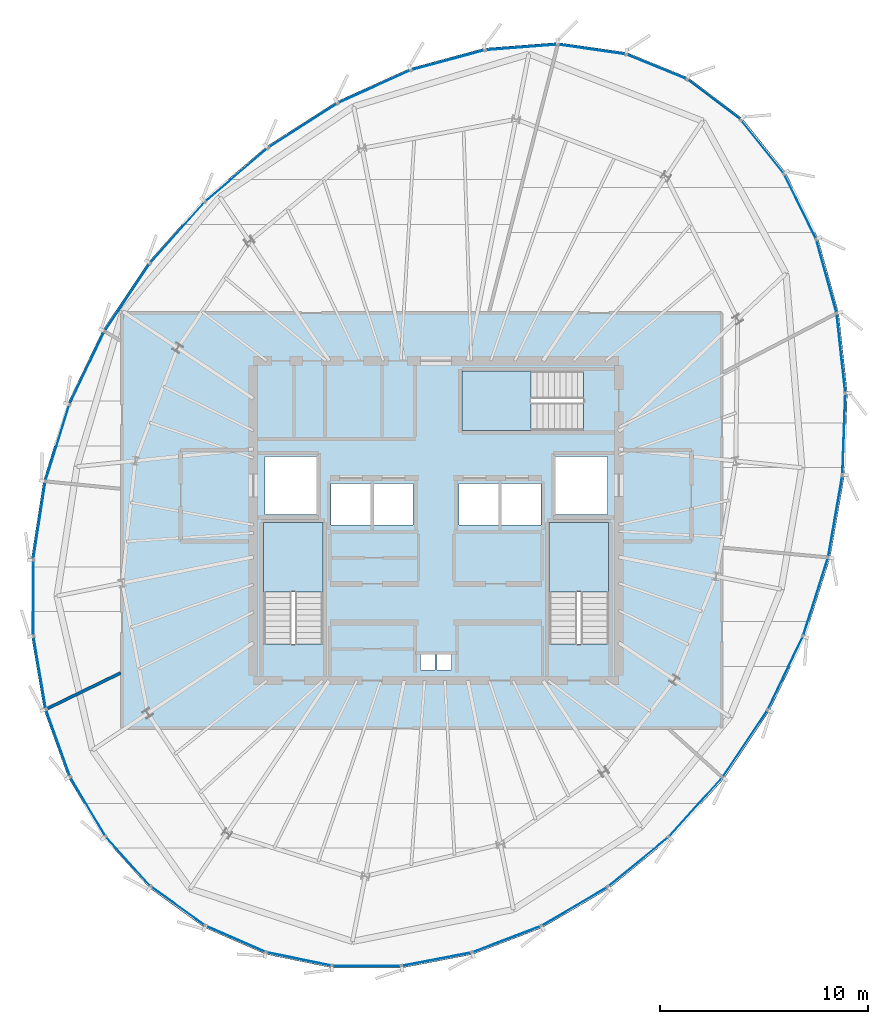
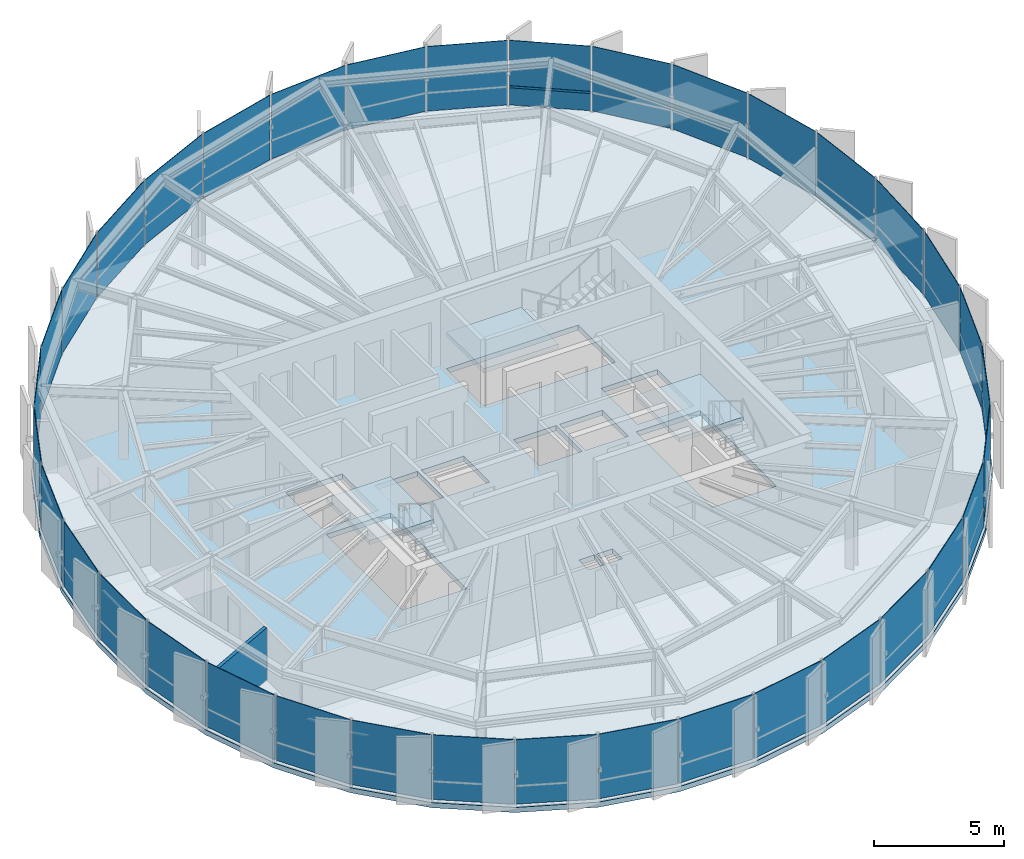
# One storey, part 24 of 31: 36 plates, 4 slabs, 1 member, 1 wall, 9 elements without a shape of their own.
"""IFC4 building model written with IfcOpenShell, lengths in metres."""

from ifc_helpers import new_model, si_unit, direction, frame, frame_2d, origin, origin_2d, place, context, subcontext, project, spatial, polyline, rectangle, hollow_rectangle, outline, extrude, source, transform, mapped, material, layer, layer_set, material_profile, profile_set, type_object, element, aggregate, save


model = new_model("IFC4")

# Units and contexts
model_context = context("Model", 3, precision=1e-05, world=origin(), true_north=direction((0.0, 1.0)))
body_context = subcontext(model_context, "Body", "Model", "MODEL_VIEW")
ifc_project = project(units=[si_unit("LENGTHUNIT", "METRE"), si_unit("AREAUNIT", "SQUARE_METRE"), si_unit("VOLUMEUNIT", "CUBIC_METRE"), si_unit("PLANEANGLEUNIT", "RADIAN"), si_unit("MASSUNIT", "GRAM", prefix="KILO"), si_unit("THERMODYNAMICTEMPERATUREUNIT", "KELVIN")], contexts=[model_context])

# Site, building, storey
site_placement = place(None, origin())
site = spatial("IfcSite", under=ifc_project, at=site_placement, CompositionType="ELEMENT")
building_placement = place(site_placement, origin())
building = spatial("IfcBuilding", under=site, at=building_placement, Name="Kethvar Cultural Tower", CompositionType="ELEMENT")
storey_placement = place(building_placement, frame((0.0, 0.0, 276.699951171875)))
storey = spatial("IfcBuildingStorey", under=building, at=storey_placement, Name="L73", CompositionType="ELEMENT", Elevation=276.699951171875)

# Curtain wall, member
ifc_material_1 = material(Name="Aluminium 6063-T6", Category="aluminium")
ifc_layer_1 = layer(ifc_material_1, 0.179931640625, Name="Aluminium 6063-T6", Category="aluminium")
ifc_layer_set_1 = layer_set([ifc_layer_1], Name="Aluminium 6063-T6 (180 mm)")
curtain_wall_type = type_object("IfcCurtainWallType", Name="CW-SYS-05-Z56", PredefinedType="NOTDEFINED", material=ifc_layer_set_1)
curtain_wall_1_placement = place(storey_placement, origin())
curtain_wall_1 = element("IfcCurtainWall", 1, at=curtain_wall_1_placement, inside=storey, type_object=curtain_wall_type, Name="L73 Curtain Wall Run 06", PredefinedType="NOTDEFINED")
ifc_material_profile = material_profile(ifc_material_1, hollow_rectangle(XDim=0.050048828125, YDim=0.10009765625, WallThickness=0.00390625, at=origin_2d()), Name="Aluminium 6063-T6 — RHS100x50x4")
ifc_profile_set = profile_set([ifc_material_profile], Name="Aluminium 6063-T6 — RHS100x50x4")
member_type = type_object("IfcMemberType", Name="CW-SYS-05-Z56-TRN", PredefinedType="USERDEFINED", material=ifc_profile_set)
shared_shape_1 = source(origin(), body_context, "Body", "SweptSolid", [
    extrude(hollow_rectangle(XDim=0.050048828125, YDim=0.10009765625, WallThickness=0.00390625, at=origin_2d()), origin(), (0.0, 0.0, 1.0), 3.158447265625),
])
member_placement = place(storey_placement, frame((61.45556640625, 47.119140625, 0.949951171875), z_axis=(-0.797460665346, 0.603370936676, 0.0), x_axis=(-0.603370936676, -0.797460665346, 0.0)))
member = element("IfcMember", 2, at=member_placement, type_object=member_type, Name="CW-L73-R06 Transom 6", ObjectType="TRANSOM", PredefinedType="USERDEFINED", context=body_context, shape_type="MappedRepresentation", body=[
    mapped(shared_shape_1, transform((0.0, 0.0, 0.0), scale=1.0)),
])

# Stair, slab
ifc_material_2 = material(Name="Concrete C40/50", Category="concrete")
stair_type = type_object("IfcStairType", Name="ST-DOGLEG-135", PredefinedType="HALF_TURN_STAIR", material=ifc_material_2)
stair_1_placement = place(storey_placement, origin())
stair_1 = element("IfcStair", 3, at=stair_1_placement, inside=storey, type_object=stair_type, Name="L73 Core Exit Stair 1", PredefinedType="HALF_TURN_STAIR")
ifc_layer_2 = layer(ifc_material_2, 0.199951171875, Name="Concrete C40/50", Category="concrete")
ifc_layer_set_2 = layer_set([ifc_layer_2], Name="Concrete C40/50 (200 mm)")
slab_type_1 = type_object("IfcSlabType", Name="SL-STAIR-LANDING-200", PredefinedType="LANDING", material=ifc_layer_set_2)
slab_1_placement = place(storey_placement, frame((0.0, 0.0, 1.525146484375)))
slab_1 = element("IfcSlab", 4, at=slab_1_placement, type_object=slab_type_1, Name="ST-01 landing 1", PredefinedType="LANDING", context=body_context, shape_type="SweptSolid", body=[
    extrude(outline(polyline([(41.35009765625, 24.3701171875), (41.35009765625, 27.699951171875), (38.489990234375, 27.699951171875), (38.489990234375, 24.3701171875), (41.35009765625, 24.3701171875)])), origin(), (0.0, 0.0, 1.0), 0.199951171875),
])
aggregate(stair_1, [slab_1])

stair_2_placement = place(storey_placement, origin())
stair_2 = element("IfcStair", 5, at=stair_2_placement, inside=storey, type_object=stair_type, Name="L73 Core Exit Stair 2", PredefinedType="HALF_TURN_STAIR")
slab_2_placement = place(storey_placement, frame((0.0, 0.0, 1.525146484375)))
slab_2 = element("IfcSlab", 6, at=slab_2_placement, type_object=slab_type_1, Name="ST-02 landing 1", PredefinedType="LANDING", context=body_context, shape_type="SweptSolid", body=[
    extrude(outline(polyline([(55.110107421875, 24.3701171875), (55.110107421875, 27.699951171875), (52.25, 27.699951171875), (52.25, 24.3701171875), (55.110107421875, 24.3701171875)])), origin(), (0.0, 0.0, 1.0), 0.199951171875),
])
aggregate(stair_2, [slab_2])

stair_3_placement = place(storey_placement, origin())
stair_3 = element("IfcStair", 7, at=stair_3_placement, inside=storey, type_object=stair_type, Name="L73 Core Exit Stair 3", PredefinedType="HALF_TURN_STAIR")
slab_3_placement = place(storey_placement, frame((0.0, 0.0, 1.525146484375)))
slab_3 = element("IfcSlab", 8, at=slab_3_placement, type_object=slab_type_1, Name="ST-03 landing 1", PredefinedType="LANDING", context=body_context, shape_type="SweptSolid", body=[
    extrude(outline(polyline([(51.3798828125, 35.010009765625), (48.050048828125, 35.010009765625), (48.050048828125, 32.14990234375), (51.3798828125, 32.14990234375), (51.3798828125, 35.010009765625)])), origin(), (0.0, 0.0, 1.0), 0.199951171875),
])
aggregate(stair_3, [slab_3])

# Slab
ifc_layer_3 = layer(ifc_material_2, 0.239990234375, Name="Concrete C40/50", Category="concrete")
ifc_layer_set_3 = layer_set([ifc_layer_3], Name="Concrete C40/50 (240 mm)")
slab_type_2 = type_object("IfcSlabType", Name="SL-TOW-240", PredefinedType="FLOOR", material=ifc_layer_set_3)
slab_4_placement = place(storey_placement, frame((0.0, 0.0, -0.239990234375)))
element("IfcSlab", 9, at=slab_4_placement, inside=storey, type_object=slab_type_2, Name="L73 Structural Floor Slab", PredefinedType="FLOOR", context=body_context, shape_type="SweptSolid", body=[
    extrude(outline(polyline([(58.965576171875, 49.128662109375), (55.9697265625, 50.3564453125), (52.656005859375, 50.830078125), (49.138916015625, 50.5595703125), (45.5458984375, 49.58837890625), (42.00830078125, 47.986083984375), (38.65380859375, 45.836181640625), (35.597900390625, 43.227783203125), (32.936279296875, 40.245361328125), (30.739501953125, 36.960693359375), (29.04296875, 33.419677734375), (27.885986328125, 29.70751953125), (27.303955078125, 25.937744140625), (27.31396484375, 22.224609375), (27.916259765625, 18.6806640625), (29.09228515625, 15.413818359375), (30.80615234375, 12.523193359375), (33.006103515625, 10.096923828125), (35.625244140625, 8.208740234375), (38.583984375, 6.91552734375), (41.792236328125, 6.257080078125), (45.152587890625, 6.2529296875), (48.563232421875, 6.90380859375), (51.920166015625, 8.189453125), (55.121337890625, 10.07080078125), (58.070068359375, 12.4912109375), (60.676025390625, 15.37646484375), (62.860595703125, 18.639404296875), (64.5693359375, 22.202392578125), (65.78173828125, 26.01123046875), (66.47119140625, 29.96923828125), (66.6142578125, 33.950927734375), (66.19287109375, 37.811767578125), (65.199462890625, 41.398681640625), (63.64208984375, 44.563720703125), (61.547607421875, 47.175048828125), (58.965576171875, 49.128662109375)]), holes=[polyline([(38.489990234375, 21.85009765625), (38.489990234375, 27.699951171875), (41.35009765625, 27.699951171875), (41.35009765625, 21.85009765625), (38.489990234375, 21.85009765625)]), polyline([(52.25, 21.85009765625), (52.25, 27.699951171875), (55.110107421875, 27.699951171875), (55.110107421875, 21.85009765625), (52.25, 21.85009765625)]), polyline([(53.89990234375, 32.14990234375), (48.050048828125, 32.14990234375), (48.050048828125, 35.010009765625), (53.89990234375, 35.010009765625), (53.89990234375, 32.14990234375)]), polyline([(41.75, 29.60009765625), (43.64990234375, 29.60009765625), (43.64990234375, 27.60009765625), (41.75, 27.60009765625), (41.75, 29.60009765625)]), polyline([(43.800048828125, 29.60009765625), (45.699951171875, 29.60009765625), (45.699951171875, 27.60009765625), (43.800048828125, 27.60009765625), (43.800048828125, 29.60009765625)]), polyline([(47.89990234375, 29.60009765625), (49.800048828125, 29.60009765625), (49.800048828125, 27.60009765625), (47.89990234375, 27.60009765625), (47.89990234375, 29.60009765625)]), polyline([(49.949951171875, 29.60009765625), (51.85009765625, 29.60009765625), (51.85009765625, 27.60009765625), (49.949951171875, 27.60009765625), (49.949951171875, 29.60009765625)]), polyline([(38.550048828125, 30.89990234375), (41.050048828125, 30.89990234375), (41.050048828125, 28.10009765625), (38.550048828125, 28.10009765625), (38.550048828125, 30.89990234375)]), polyline([(52.550048828125, 30.89990234375), (55.050048828125, 30.89990234375), (55.050048828125, 28.10009765625), (52.550048828125, 28.10009765625), (52.550048828125, 30.89990234375)]), polyline([(46.050048828125, 21.35009765625), (46.75, 21.35009765625), (46.75, 20.60009765625), (46.050048828125, 20.60009765625), (46.050048828125, 21.35009765625)]), polyline([(46.85009765625, 21.35009765625), (47.550048828125, 21.35009765625), (47.550048828125, 20.60009765625), (46.85009765625, 20.60009765625), (46.85009765625, 21.35009765625)])]), origin(), (0.0, 0.0, 1.0), 0.239990234375),
])

# Curtain wall, plate
curtain_wall_2_placement = place(storey_placement, origin())
curtain_wall_2 = element("IfcCurtainWall", 10, at=curtain_wall_2_placement, inside=storey, type_object=curtain_wall_type, Name="L73 Curtain Wall Run 01", PredefinedType="NOTDEFINED")
ifc_material_3 = material(Name="Insulated Low-E Solar Glass", Category="glass")
ifc_layer_4 = layer(ifc_material_3, 0.028076171875, Name="Insulated Low-E Solar Glass", Category="glass")
ifc_layer_set_4 = layer_set([ifc_layer_4], Name="Insulated Low-E Solar Glass (28 mm)")
plate_type = type_object("IfcPlateType", Name="CW-SYS-05-Z56-PNL", PredefinedType="CURTAIN_PANEL", material=ifc_layer_set_4)
shared_shape_2 = source(origin(), body_context, "Body", "SweptSolid", [
    extrude(rectangle(XDim=3.905029296875, YDim=0.028076171875, at=origin_2d()), origin(), (0.0, 0.0, 1.0), 3.030029296875),
])
plate_1_placement = place(storey_placement, frame((40.385009765625, 46.826904296875, 0.08984375), z_axis=(0.0, 0.0, 1.0), x_axis=(-0.841925408552, -0.539593927352, 0.0)))
plate_1 = element("IfcPlate", 11, at=plate_1_placement, type_object=plate_type, Name="CW-L73-R01 Vision Glazing Panel 6", PredefinedType="CURTAIN_PANEL", context=body_context, shape_type="MappedRepresentation", body=[
    mapped(shared_shape_2, transform((0.0, 0.0, 0.0), scale=1.0)),
])

# Plate
plate_2_placement = place(storey_placement, frame((66.44287109375, 31.963623046875, 0.08984375), z_axis=(0.0, 0.0, 1.0), x_axis=(0.035893710914, 0.999355613141, 0.0)))
plate_2 = element("IfcPlate", 12, at=plate_2_placement, type_object=plate_type, Name="CW-L73-R06 Vision Glazing Panel 1", PredefinedType="CURTAIN_PANEL", context=body_context, shape_type="MappedRepresentation", body=[
    mapped(shared_shape_2, transform((0.0, 0.0, 0.0), scale=1.0)),
])

# Curtain wall, plate
curtain_wall_3_placement = place(storey_placement, origin())
curtain_wall_3 = element("IfcCurtainWall", 13, at=curtain_wall_3_placement, inside=storey, type_object=curtain_wall_type, Name="L73 Curtain Wall Run 05", PredefinedType="NOTDEFINED")
shared_shape_3 = source(origin(), body_context, "Body", "SweptSolid", [
    extrude(rectangle(XDim=3.872314453125, YDim=0.028076171875, at=origin_2d()), origin(), (0.0, 0.0, 1.0), 3.030029296875),
])
plate_3_placement = place(storey_placement, frame((63.624755859375, 20.464111328125, 0.08984375), z_axis=(0.0, 0.0, 1.0), x_axis=(0.432447732757, 0.901659003412, 0.0)))
plate_3 = element("IfcPlate", 14, at=plate_3_placement, type_object=plate_type, Name="CW-L73-R05 Vision Glazing Panel 4", PredefinedType="CURTAIN_PANEL", context=body_context, shape_type="MappedRepresentation", body=[
    mapped(shared_shape_3, transform((0.0, 0.0, 0.0), scale=1.0)),
])

# Plate
shared_shape_4 = source(origin(), body_context, "Body", "SweptSolid", [
    extrude(rectangle(XDim=3.158447265625, YDim=0.028076171875, at=origin_2d()), origin(), (0.0, 0.0, 1.0), 3.030029296875),
])
plate_4_placement = place(storey_placement, frame((57.4296875, 49.650146484375, 0.08984375), z_axis=(0.0, 0.0, 1.0), x_axis=(-0.925295790442, 0.379246226337, 0.0)))
plate_4 = element("IfcPlate", 15, at=plate_4_placement, type_object=plate_type, Name="CW-L73-R01 Vision Glazing Panel 1", PredefinedType="CURTAIN_PANEL", context=body_context, shape_type="MappedRepresentation", body=[
    mapped(shared_shape_4, transform((0.0, 0.0, 0.0), scale=1.0)),
])

shared_shape_5 = source(origin(), body_context, "Body", "SweptSolid", [
    extrude(rectangle(XDim=3.268310546875, YDim=0.028076171875, at=origin_2d()), origin(), (0.0, 0.0, 1.0), 3.030029296875),
])
plate_5_placement = place(storey_placement, frame((54.298828125, 50.494384765625, 0.08984375), z_axis=(0.0, 0.0, 1.0), x_axis=(-0.989942340228, 0.141471421228, 0.0)))
plate_5 = element("IfcPlate", 16, at=plate_5_placement, type_object=plate_type, Name="CW-L73-R01 Vision Glazing Panel 2", PredefinedType="CURTAIN_PANEL", context=body_context, shape_type="MappedRepresentation", body=[
    mapped(shared_shape_5, transform((0.0, 0.0, 0.0), scale=1.0)),
])

plate_6_placement = place(storey_placement, frame((62.516845703125, 45.806884765625, 0.08984375), z_axis=(0.0, 0.0, 1.0), x_axis=(-0.625705662949, 0.780059243489, 0.0)))
plate_6 = element("IfcPlate", 17, at=plate_6_placement, type_object=plate_type, Name="CW-L73-R06 Vision Glazing Panel 5", PredefinedType="CURTAIN_PANEL", context=body_context, shape_type="MappedRepresentation", body=[
    mapped(shared_shape_5, transform((0.0, 0.0, 0.0), scale=1.0)),
])

shared_shape_6 = source(origin(), body_context, "Body", "SweptSolid", [
    extrude(rectangle(XDim=3.4482421875, YDim=0.028076171875, at=origin_2d()), origin(), (0.0, 0.0, 1.0), 3.030029296875),
])
plate_7_placement = place(storey_placement, frame((50.9052734375, 50.59521484375, 0.08984375), z_axis=(0.0, 0.0, 1.0), x_axis=(-0.997052752227, -0.076719028127, 0.0)))
plate_7 = element("IfcPlate", 18, at=plate_7_placement, type_object=plate_type, Name="CW-L73-R01 Vision Glazing Panel 3", PredefinedType="CURTAIN_PANEL", context=body_context, shape_type="MappedRepresentation", body=[
    mapped(shared_shape_6, transform((0.0, 0.0, 0.0), scale=1.0)),
])

plate_8_placement = place(storey_placement, frame((64.3310546875, 42.937255859375, 0.08984375), z_axis=(0.0, 0.0, 1.0), x_axis=(-0.441505852792, 0.897258369674, 0.0)))
plate_8 = element("IfcPlate", 19, at=plate_8_placement, type_object=plate_type, Name="CW-L73-R06 Vision Glazing Panel 4", PredefinedType="CURTAIN_PANEL", context=body_context, shape_type="MappedRepresentation", body=[
    mapped(shared_shape_6, transform((0.0, 0.0, 0.0), scale=1.0)),
])

shared_shape_7 = source(origin(), body_context, "Body", "SweptSolid", [
    extrude(rectangle(XDim=3.642822265625, YDim=0.028076171875, at=origin_2d()), origin(), (0.0, 0.0, 1.0), 3.030029296875),
])
plate_9_placement = place(storey_placement, frame((47.368408203125, 49.977294921875, 0.08984375), z_axis=(0.0, 0.0, 1.0), x_axis=(-0.965372533159, -0.260875204307, 0.0)))
plate_9 = element("IfcPlate", 20, at=plate_9_placement, type_object=plate_type, Name="CW-L73-R01 Vision Glazing Panel 4", PredefinedType="CURTAIN_PANEL", context=body_context, shape_type="MappedRepresentation", body=[
    mapped(shared_shape_7, transform((0.0, 0.0, 0.0), scale=1.0)),
])

plate_10_placement = place(storey_placement, frame((65.599853515625, 39.57861328125, 0.08984375), z_axis=(0.0, 0.0, 1.0), x_axis=(-0.266885169128, 0.963728336462, 0.0)))
plate_10 = element("IfcPlate", 21, at=plate_10_placement, type_object=plate_type, Name="CW-L73-R06 Vision Glazing Panel 3", PredefinedType="CURTAIN_PANEL", context=body_context, shape_type="MappedRepresentation", body=[
    mapped(shared_shape_7, transform((0.0, 0.0, 0.0), scale=1.0)),
])

shared_shape_8 = source(origin(), body_context, "Body", "SweptSolid", [
    extrude(rectangle(XDim=3.804443359375, YDim=0.028076171875, at=origin_2d()), origin(), (0.0, 0.0, 1.0), 3.030029296875),
])
plate_11_placement = place(storey_placement, frame((43.818359375, 48.6962890625, 0.08984375), z_axis=(0.0, 0.0, 1.0), x_axis=(-0.910907038506, -0.412611642105, 0.0)))
plate_11 = element("IfcPlate", 22, at=plate_11_placement, type_object=plate_type, Name="CW-L73-R01 Vision Glazing Panel 5", PredefinedType="CURTAIN_PANEL", context=body_context, shape_type="MappedRepresentation", body=[
    mapped(shared_shape_8, transform((0.0, 0.0, 0.0), scale=1.0)),
])

aggregate(curtain_wall_2, [plate_4, plate_5, plate_7, plate_9, plate_11, plate_1])

plate_12_placement = place(storey_placement, frame((66.30419921875, 35.87060546875, 0.08984375), z_axis=(0.0, 0.0, 1.0), x_axis=(-0.108537227307, 0.994092385188, 0.0)))
plate_12 = element("IfcPlate", 23, at=plate_12_placement, type_object=plate_type, Name="CW-L73-R06 Vision Glazing Panel 2", PredefinedType="CURTAIN_PANEL", context=body_context, shape_type="MappedRepresentation", body=[
    mapped(shared_shape_8, transform((0.0, 0.0, 0.0), scale=1.0)),
])

# Curtain wall, plates
curtain_wall_4_placement = place(storey_placement, origin())
curtain_wall_4 = element("IfcCurtainWall", 24, at=curtain_wall_4_placement, inside=storey, type_object=curtain_wall_type, Name="L73 Curtain Wall Run 02", PredefinedType="NOTDEFINED")
shared_shape_9 = source(origin(), body_context, "Body", "SweptSolid", [
    extrude(rectangle(XDim=3.938720703125, YDim=0.028076171875, at=origin_2d()), origin(), (0.0, 0.0, 1.0), 3.030029296875),
])
plate_13_placement = place(storey_placement, frame((37.190673828125, 44.455810546875, 0.08984375), z_axis=(0.0, 0.0, 1.0), x_axis=(-0.760598627241, -0.649222402755, 0.0)))
plate_13 = element("IfcPlate", 25, at=plate_13_placement, type_object=plate_type, Name="CW-L73-R02 Vision Glazing Panel 1", PredefinedType="CURTAIN_PANEL", context=body_context, shape_type="MappedRepresentation", body=[
    mapped(shared_shape_9, transform((0.0, 0.0, 0.0), scale=1.0)),
])
shared_shape_10 = source(origin(), body_context, "Body", "SweptSolid", [
    extrude(rectangle(XDim=3.91796875, YDim=0.028076171875, at=origin_2d()), origin(), (0.0, 0.0, 1.0), 3.030029296875),
])
plate_14_placement = place(storey_placement, frame((34.341796875, 41.670166015625, 0.08984375), z_axis=(0.0, 0.0, 1.0), x_axis=(-0.665816557677, -0.746115481358, 0.0)))
plate_14 = element("IfcPlate", 26, at=plate_14_placement, type_object=plate_type, Name="CW-L73-R02 Vision Glazing Panel 2", PredefinedType="CURTAIN_PANEL", context=body_context, shape_type="MappedRepresentation", body=[
    mapped(shared_shape_10, transform((0.0, 0.0, 0.0), scale=1.0)),
])

# Plate
plate_15_placement = place(storey_placement, frame((65.080322265625, 24.13720703125, 0.08984375), z_axis=(0.0, 0.0, 1.0), x_axis=(0.303284748653, 0.952899974412, 0.0)))
plate_15 = element("IfcPlate", 27, at=plate_15_placement, type_object=plate_type, Name="CW-L73-R05 Vision Glazing Panel 5", PredefinedType="CURTAIN_PANEL", context=body_context, shape_type="MappedRepresentation", body=[
    mapped(shared_shape_10, transform((0.0, 0.0, 0.0), scale=1.0)),
])

shared_shape_11 = source(origin(), body_context, "Body", "SweptSolid", [
    extrude(rectangle(XDim=3.87255859375, YDim=0.028076171875, at=origin_2d()), origin(), (0.0, 0.0, 1.0), 3.030029296875),
])
plate_16_placement = place(storey_placement, frame((31.921142578125, 38.54736328125, 0.08984375), z_axis=(0.0, 0.0, 1.0), x_axis=(-0.555947484746, -0.831217416928, 0.0)))
plate_16 = element("IfcPlate", 28, at=plate_16_placement, type_object=plate_type, Name="CW-L73-R02 Vision Glazing Panel 3", PredefinedType="CURTAIN_PANEL", context=body_context, shape_type="MappedRepresentation", body=[
    mapped(shared_shape_11, transform((0.0, 0.0, 0.0), scale=1.0)),
])

shared_shape_12 = source(origin(), body_context, "Body", "SweptSolid", [
    extrude(rectangle(XDim=3.847412109375, YDim=0.028076171875, at=origin_2d()), origin(), (0.0, 0.0, 1.0), 3.030029296875),
])
plate_17_placement = place(storey_placement, frame((29.9814453125, 35.14697265625, 0.08984375), z_axis=(0.0, 0.0, 1.0), x_axis=(-0.432070008789, -0.901840067587, 0.0)))
plate_17 = element("IfcPlate", 29, at=plate_17_placement, type_object=plate_type, Name="CW-L73-R02 Vision Glazing Panel 4", PredefinedType="CURTAIN_PANEL", context=body_context, shape_type="MappedRepresentation", body=[
    mapped(shared_shape_12, transform((0.0, 0.0, 0.0), scale=1.0)),
])

plate_18_placement = place(storey_placement, frame((61.685302734375, 17.0634765625, 0.08984375), z_axis=(0.0, 0.0, 1.0), x_axis=(0.556324621991, 0.830965050388, 0.0)))
plate_18 = element("IfcPlate", 30, at=plate_18_placement, type_object=plate_type, Name="CW-L73-R05 Vision Glazing Panel 3", PredefinedType="CURTAIN_PANEL", context=body_context, shape_type="MappedRepresentation", body=[
    mapped(shared_shape_12, transform((0.0, 0.0, 0.0), scale=1.0)),
])

shared_shape_13 = source(origin(), body_context, "Body", "SweptSolid", [
    extrude(rectangle(XDim=3.808837890625, YDim=0.028076171875, at=origin_2d()), origin(), (0.0, 0.0, 1.0), 3.030029296875),
])
plate_19_placement = place(storey_placement, frame((28.56005859375, 31.53369140625, 0.08984375), z_axis=(0.0, 0.0, 1.0), x_axis=(-0.297541506743, -0.954708883255, 0.0)))
plate_19 = element("IfcPlate", 31, at=plate_19_placement, type_object=plate_type, Name="CW-L73-R02 Vision Glazing Panel 5", PredefinedType="CURTAIN_PANEL", context=body_context, shape_type="MappedRepresentation", body=[
    mapped(shared_shape_13, transform((0.0, 0.0, 0.0), scale=1.0)),
])

shared_shape_14 = source(origin(), body_context, "Body", "SweptSolid", [
    extrude(rectangle(XDim=3.7353515625, YDim=0.028076171875, at=origin_2d()), origin(), (0.0, 0.0, 1.0), 3.030029296875),
])
plate_20_placement = place(storey_placement, frame((27.69384765625, 27.807373046875, 0.08984375), z_axis=(0.0, 0.0, 1.0), x_axis=(-0.152623621397, -0.988284387305, 0.0)))
plate_20 = element("IfcPlate", 32, at=plate_20_placement, type_object=plate_type, Name="CW-L73-R02 Vision Glazing Panel 6", PredefinedType="CURTAIN_PANEL", context=body_context, shape_type="MappedRepresentation", body=[
    mapped(shared_shape_14, transform((0.0, 0.0, 0.0), scale=1.0)),
])

aggregate(curtain_wall_4, [plate_13, plate_14, plate_16, plate_17, plate_19, plate_20])

plate_21_placement = place(storey_placement, frame((56.5322265625, 11.3583984375, 0.08984375), z_axis=(0.0, 0.0, 1.0), x_axis=(0.772966162473, 0.634447248928, 0.0)))
plate_21 = element("IfcPlate", 33, at=plate_21_placement, type_object=plate_type, Name="CW-L73-R05 Vision Glazing Panel 1", PredefinedType="CURTAIN_PANEL", context=body_context, shape_type="MappedRepresentation", body=[
    mapped(shared_shape_14, transform((0.0, 0.0, 0.0), scale=1.0)),
])

# Curtain wall, plate
curtain_wall_5_placement = place(storey_placement, origin())
curtain_wall_5 = element("IfcCurtainWall", 34, at=curtain_wall_5_placement, inside=storey, type_object=curtain_wall_type, Name="L73 Curtain Wall Run 03", PredefinedType="NOTDEFINED")
shared_shape_15 = source(origin(), body_context, "Body", "SweptSolid", [
    extrude(rectangle(XDim=3.634033203125, YDim=0.028076171875, at=origin_2d()), origin(), (0.0, 0.0, 1.0), 3.030029296875),
])
plate_22_placement = place(storey_placement, frame((27.408935546875, 24.081298828125, 0.08984375), z_axis=(0.0, 0.0, 1.0), x_axis=(0.002722710269, -0.999996293418, 0.0)))
plate_22 = element("IfcPlate", 35, at=plate_22_placement, type_object=plate_type, Name="CW-L73-R03 Vision Glazing Panel 1", PredefinedType="CURTAIN_PANEL", context=body_context, shape_type="MappedRepresentation", body=[
    mapped(shared_shape_15, transform((0.0, 0.0, 0.0), scale=1.0)),
])

curtain_wall_6_placement = place(storey_placement, origin())
curtain_wall_6 = element("IfcCurtainWall", 36, at=curtain_wall_6_placement, inside=storey, type_object=curtain_wall_type, Name="L73 Curtain Wall Run 04", PredefinedType="NOTDEFINED")
plate_23_placement = place(storey_placement, frame((53.47021484375, 9.21630859375, 0.08984375), z_axis=(0.0, 0.0, 1.0), x_axis=(0.862124808883, 0.50669597779, 0.0)))
plate_23 = element("IfcPlate", 37, at=plate_23_placement, type_object=plate_type, Name="CW-L73-R04 Vision Glazing Panel 6", PredefinedType="CURTAIN_PANEL", context=body_context, shape_type="MappedRepresentation", body=[
    mapped(shared_shape_15, transform((0.0, 0.0, 0.0), scale=1.0)),
])

# Plate
shared_shape_16 = source(origin(), body_context, "Body", "SweptSolid", [
    extrude(rectangle(XDim=3.515380859375, YDim=0.028076171875, at=origin_2d()), origin(), (0.0, 0.0, 1.0), 3.030029296875),
])
plate_24_placement = place(storey_placement, frame((27.713623046875, 20.46923828125, 0.08984375), z_axis=(0.0, 0.0, 1.0), x_axis=(0.167525888066, -0.985867677139, 0.0)))
plate_24 = element("IfcPlate", 38, at=plate_24_placement, type_object=plate_type, Name="CW-L73-R03 Vision Glazing Panel 2", PredefinedType="CURTAIN_PANEL", context=body_context, shape_type="MappedRepresentation", body=[
    mapped(shared_shape_16, transform((0.0, 0.0, 0.0), scale=1.0)),
])

shared_shape_17 = source(origin(), body_context, "Body", "SweptSolid", [
    extrude(rectangle(XDim=3.392822265625, YDim=0.028076171875, at=origin_2d()), origin(), (0.0, 0.0, 1.0), 3.030029296875),
])
plate_25_placement = place(storey_placement, frame((28.598388671875, 17.0810546875, 0.08984375), z_axis=(0.0, 0.0, 1.0), x_axis=(0.338705077104, -0.940892592565, 0.0)))
plate_25 = element("IfcPlate", 39, at=plate_25_placement, type_object=plate_type, Name="CW-L73-R03 Vision Glazing Panel 3", PredefinedType="CURTAIN_PANEL", context=body_context, shape_type="MappedRepresentation", body=[
    mapped(shared_shape_17, transform((0.0, 0.0, 0.0), scale=1.0)),
])

plate_26_placement = place(storey_placement, frame((46.839111328125, 6.676513671875, 0.08984375), z_axis=(0.0, 0.0, 1.0), x_axis=(0.982280709288, 0.187415602765, 0.0)))
plate_26 = element("IfcPlate", 40, at=plate_26_placement, type_object=plate_type, Name="CW-L73-R04 Vision Glazing Panel 4", PredefinedType="CURTAIN_PANEL", context=body_context, shape_type="MappedRepresentation", body=[
    mapped(shared_shape_17, transform((0.0, 0.0, 0.0), scale=1.0)),
])

shared_shape_18 = source(origin(), body_context, "Body", "SweptSolid", [
    extrude(rectangle(XDim=3.28125, YDim=0.028076171875, at=origin_2d()), origin(), (0.0, 0.0, 1.0), 3.030029296875),
])
plate_27_placement = place(storey_placement, frame((30.03515625, 14.01953125, 0.08984375), z_axis=(0.0, 0.0, 1.0), x_axis=(0.510047593902, -0.860146180573, 0.0)))
plate_27 = element("IfcPlate", 41, at=plate_27_placement, type_object=plate_type, Name="CW-L73-R03 Vision Glazing Panel 4", PredefinedType="CURTAIN_PANEL", context=body_context, shape_type="MappedRepresentation", body=[
    mapped(shared_shape_18, transform((0.0, 0.0, 0.0), scale=1.0)),
])

plate_28_placement = place(storey_placement, frame((43.472412109375, 6.35498046875, 0.08984375), z_axis=(0.0, 0.0, 1.0), x_axis=(0.999999295725, -0.001186823613, 0.0)))
plate_28 = element("IfcPlate", 42, at=plate_28_placement, type_object=plate_type, Name="CW-L73-R04 Vision Glazing Panel 3", PredefinedType="CURTAIN_PANEL", context=body_context, shape_type="MappedRepresentation", body=[
    mapped(shared_shape_18, transform((0.0, 0.0, 0.0), scale=1.0)),
])

shared_shape_19 = source(origin(), body_context, "Body", "SweptSolid", [
    extrude(rectangle(XDim=3.196044921875, YDim=0.028076171875, at=origin_2d()), origin(), (0.0, 0.0, 1.0), 3.030029296875),
])
plate_29_placement = place(storey_placement, frame((31.980224609375, 11.377197265625, 0.08984375), z_axis=(0.0, 0.0, 1.0), x_axis=(0.671720589323, -0.740804596287, 0.0)))
plate_29 = element("IfcPlate", 43, at=plate_29_placement, type_object=plate_type, Name="CW-L73-R03 Vision Glazing Panel 5", PredefinedType="CURTAIN_PANEL", context=body_context, shape_type="MappedRepresentation", body=[
    mapped(shared_shape_19, transform((0.0, 0.0, 0.0), scale=1.0)),
])

plate_30_placement = place(storey_placement, frame((40.208251953125, 6.68408203125, 0.08984375), z_axis=(0.0, 0.0, 1.0), x_axis=(0.979578758922, -0.201060824302, 0.0)))
plate_30 = element("IfcPlate", 44, at=plate_30_placement, type_object=plate_type, Name="CW-L73-R04 Vision Glazing Panel 2", PredefinedType="CURTAIN_PANEL", context=body_context, shape_type="MappedRepresentation", body=[
    mapped(shared_shape_19, transform((0.0, 0.0, 0.0), scale=1.0)),
])

shared_shape_20 = source(origin(), body_context, "Body", "SweptSolid", [
    extrude(rectangle(XDim=3.149658203125, YDim=0.028076171875, at=origin_2d()), origin(), (0.0, 0.0, 1.0), 3.030029296875),
])
plate_31_placement = place(storey_placement, frame((34.374267578125, 9.23388671875, 0.08984375), z_axis=(0.0, 0.0, 1.0), x_axis=(0.81115569392, -0.584830266164, 0.0)))
plate_31 = element("IfcPlate", 45, at=plate_31_placement, type_object=plate_type, Name="CW-L73-R03 Vision Glazing Panel 6", PredefinedType="CURTAIN_PANEL", context=body_context, shape_type="MappedRepresentation", body=[
    mapped(shared_shape_20, transform((0.0, 0.0, 0.0), scale=1.0)),
])

aggregate(curtain_wall_5, [plate_22, plate_24, plate_25, plate_27, plate_29, plate_31])

shared_shape_21 = source(origin(), body_context, "Body", "SweptSolid", [
    extrude(rectangle(XDim=3.14990234375, YDim=0.028076171875, at=origin_2d()), origin(), (0.0, 0.0, 1.0), 3.030029296875),
])
plate_32_placement = place(storey_placement, frame((37.14453125, 7.65380859375, 0.08984375), z_axis=(0.0, 0.0, 1.0), x_axis=(0.916292841518, -0.400508961926, 0.0)))
plate_32 = element("IfcPlate", 46, at=plate_32_placement, type_object=plate_type, Name="CW-L73-R04 Vision Glazing Panel 1", PredefinedType="CURTAIN_PANEL", context=body_context, shape_type="MappedRepresentation", body=[
    mapped(shared_shape_21, transform((0.0, 0.0, 0.0), scale=1.0)),
])

shared_shape_22 = source(origin(), body_context, "Body", "SweptSolid", [
    extrude(rectangle(XDim=3.515625, YDim=0.028076171875, at=origin_2d()), origin(), (0.0, 0.0, 1.0), 3.030029296875),
])
plate_33_placement = place(storey_placement, frame((50.205810546875, 7.639892578125, 0.08984375), z_axis=(0.0, 0.0, 1.0), x_axis=(0.933849115686, 0.35766720444, 0.0)))
plate_33 = element("IfcPlate", 47, at=plate_33_placement, type_object=plate_type, Name="CW-L73-R04 Vision Glazing Panel 5", PredefinedType="CURTAIN_PANEL", context=body_context, shape_type="MappedRepresentation", body=[
    mapped(shared_shape_22, transform((0.0, 0.0, 0.0), scale=1.0)),
])

aggregate(curtain_wall_6, [plate_32, plate_30, plate_28, plate_26, plate_33, plate_23])

shared_shape_23 = source(origin(), body_context, "Body", "SweptSolid", [
    extrude(rectangle(XDim=3.80859375, YDim=0.028076171875, at=origin_2d()), origin(), (0.0, 0.0, 1.0), 3.030029296875),
])
plate_34_placement = place(storey_placement, frame((59.298583984375, 14.000732421875, 0.08984375), z_axis=(0.0, 0.0, 1.0), x_axis=(0.670271205199, 0.742116238524, 0.0)))
plate_34 = element("IfcPlate", 48, at=plate_34_placement, type_object=plate_type, Name="CW-L73-R05 Vision Glazing Panel 2", PredefinedType="CURTAIN_PANEL", context=body_context, shape_type="MappedRepresentation", body=[
    mapped(shared_shape_23, transform((0.0, 0.0, 0.0), scale=1.0)),
])

shared_shape_24 = source(origin(), body_context, "Body", "SweptSolid", [
    extrude(rectangle(XDim=3.9384765625, YDim=0.028076171875, at=origin_2d()), origin(), (0.0, 0.0, 1.0), 3.030029296875),
])
plate_35_placement = place(storey_placement, frame((66.028076171875, 28.00732421875, 0.08984375), z_axis=(0.0, 0.0, 1.0), x_axis=(0.171636804895, 0.985160295183, 0.0)))
plate_35 = element("IfcPlate", 49, at=plate_35_placement, type_object=plate_type, Name="CW-L73-R05 Vision Glazing Panel 6", PredefinedType="CURTAIN_PANEL", context=body_context, shape_type="MappedRepresentation", body=[
    mapped(shared_shape_24, transform((0.0, 0.0, 0.0), scale=1.0)),
])

aggregate(curtain_wall_3, [plate_21, plate_34, plate_18, plate_3, plate_15, plate_35])

shared_shape_25 = source(origin(), body_context, "Body", "SweptSolid", [
    extrude(rectangle(XDim=3.15869140625, YDim=0.028076171875, at=origin_2d()), origin(), (0.0, 0.0, 1.0), 3.030029296875),
])
plate_36_placement = place(storey_placement, frame((60.1962890625, 48.072021484375, 0.08984375), z_axis=(0.0, 0.0, 1.0), x_axis=(-0.797447044745, 0.60338893827, 0.0)))
plate_36 = element("IfcPlate", 50, at=plate_36_placement, type_object=plate_type, Name="CW-L73-R06 Vision Glazing Panel 6", PredefinedType="CURTAIN_PANEL", context=body_context, shape_type="MappedRepresentation", body=[
    mapped(shared_shape_25, transform((0.0, 0.0, 0.0), scale=1.0)),
])

aggregate(curtain_wall_1, [plate_2, plate_12, plate_10, plate_8, plate_6, member, plate_36])

# Wall
ifc_material_4 = material(Name="Gypsum Acoustic Partition")
ifc_layer_5 = layer(ifc_material_4, 0.14990234375, Name="Gypsum Acoustic Partition")
ifc_layer_set_5 = layer_set([ifc_layer_5], Name="Gypsum Acoustic Partition (150 mm)")
wall_type = type_object("IfcWallType", Name="WL-PART-150", PredefinedType="PARTITIONING", material=ifc_layer_set_5)
wall_placement = place(storey_placement, frame((31.60791015625, 20.463134765625, 0.0), z_axis=(0.0, 0.0, 1.0), x_axis=(-0.899391040277, -0.437145006455, 0.0)))
element("IfcWall", 51, at=wall_placement, inside=storey, type_object=wall_type, Name="L73 Radial Partition Wall 01", PredefinedType="PARTITIONING", context=body_context, shape_type="SweptSolid", body=[
    extrude(rectangle(XDim=3.909912109375, YDim=0.14990234375, at=frame_2d((1.955078125, 0.0))), origin(), (0.0, 0.0, 1.0), 2.455078125),
])

save(model, "model.ifc")
